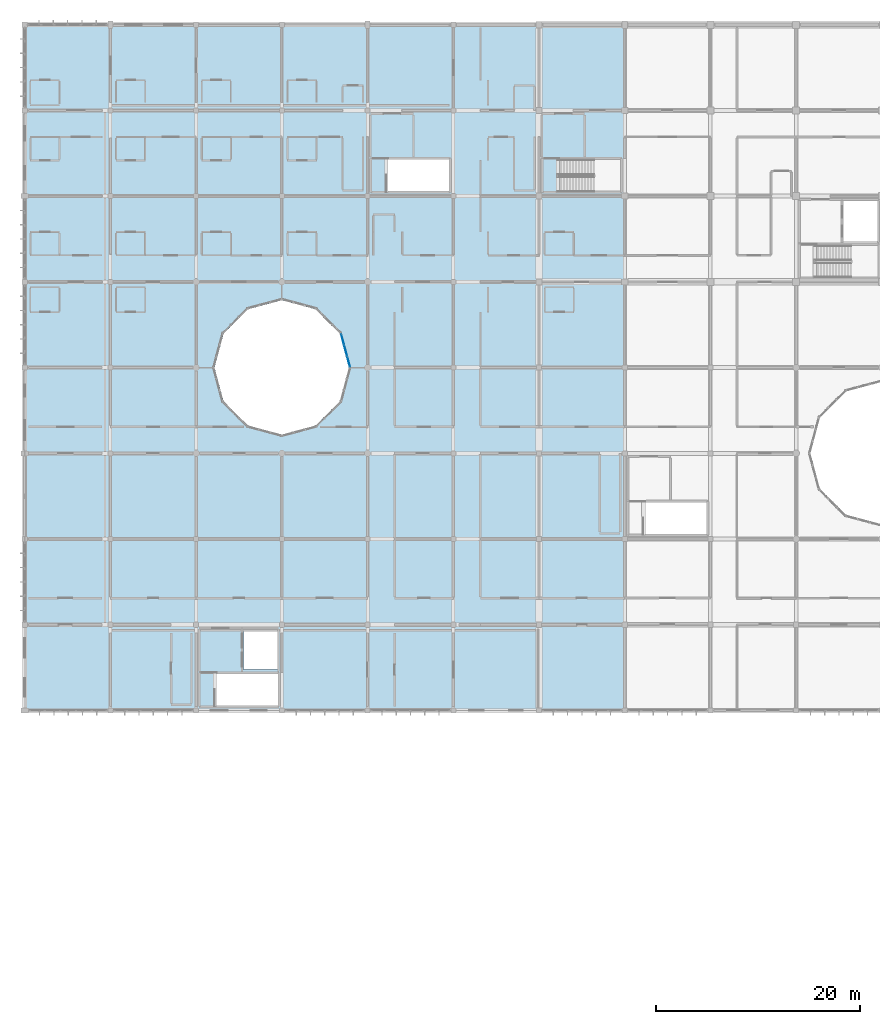
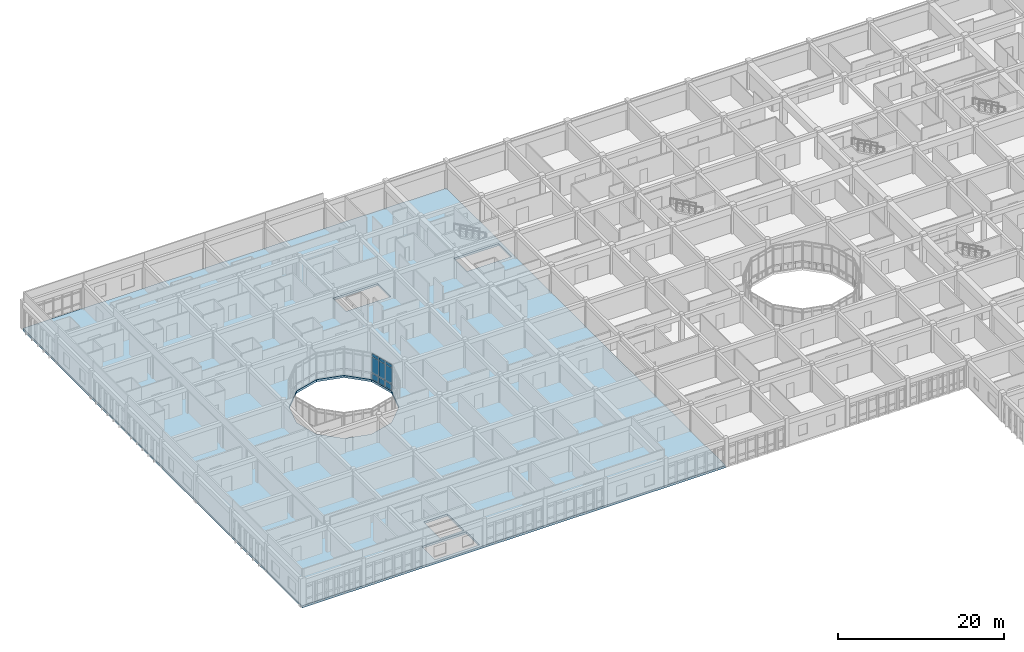
# One storey, part 63 of 119: 9 plates, 1 slab, 1 element without a shape of its own.
"""IFC4 building model written with IfcOpenShell, lengths in metres."""

from ifc_helpers import new_model, si_unit, direction, frame, origin, origin_2d, place, context, subcontext, project, spatial, polyline, rectangle, outline, extrude, material, layer, layer_set, type_object, element, aggregate, save


model = new_model("IFC4")

# Units and contexts
model_context = context("Model", 3, precision=1e-05, world=origin(), true_north=direction((0.0, 1.0)))
body_context = subcontext(model_context, "Body", "Model", "MODEL_VIEW")
ifc_project = project(units=[si_unit("LENGTHUNIT", "METRE"), si_unit("AREAUNIT", "SQUARE_METRE"), si_unit("VOLUMEUNIT", "CUBIC_METRE"), si_unit("PLANEANGLEUNIT", "RADIAN"), si_unit("MASSUNIT", "GRAM", prefix="KILO")], contexts=[model_context])

# Site, building, storey
site_placement = place(None, origin())
site = spatial("IfcSite", under=ifc_project, at=site_placement, CompositionType="ELEMENT")
building_placement = place(site_placement, origin())
building = spatial("IfcBuilding", under=site, at=building_placement, Name="Bramfleet General Hospital", CompositionType="ELEMENT")
storey_placement = place(building_placement, frame((0.0, 0.0, 14.39990234375)))
storey = spatial("IfcBuildingStorey", under=building, at=storey_placement, Name="L03", CompositionType="ELEMENT", Elevation=14.39990234375)

# Curtain wall, plates
ifc_material_1 = material(Name="Anodised aluminium and low-E triple glazing", Category="aluminium")
ifc_layer_1 = layer(ifc_material_1, 0.179931640625, Name="CWT-CW-15")
ifc_layer_set_1 = layer_set([ifc_layer_1], Name="Anodised aluminium and low-E triple glazing")
curtain_wall_type = type_object("IfcCurtainWallType", Name="CWT-CW-15", PredefinedType="USERDEFINED", material=ifc_layer_set_1)
curtain_wall_placement = place(storey_placement, origin())
curtain_wall = element("IfcCurtainWall", 1, at=curtain_wall_placement, inside=storey, type_object=curtain_wall_type, Name="L03 West Clinical Light Court Curtain Wall 7.1", ObjectType="Stick curtain wall", PredefinedType="USERDEFINED")
ifc_material_2 = material(Name="Low-E laminated safety glass", Category="glass")
ifc_layer_2 = layer(ifc_material_2, 0.031982421875, Name="CWP-GLZ-2")
ifc_layer_set_2 = layer_set([ifc_layer_2], Name="Low-E laminated safety glass")
plate_type = type_object("IfcPlateType", Name="CWP-GLZ-2", PredefinedType="CURTAIN_PANEL", material=ifc_layer_set_2)
plate_1_placement = place(storey_placement, frame((31.745849609375, 84.5751953125, 0.06494140625), z_axis=(0.0, 0.0, 1.0), x_axis=(-0.25891863407, 0.965899136003, 0.0)))
plate_1 = element("IfcPlate", 2, at=plate_1_placement, type_object=plate_type, Name="CW-15 panel 1.1", PredefinedType="CURTAIN_PANEL", context=body_context, shape_type="SweptSolid", body=[
    extrude(rectangle(XDim=1.051025390625, YDim=0.031982421875, at=origin_2d()), origin(), (0.0, 0.0, 1.0), 0.802490234375),
])
plate_2_placement = place(storey_placement, frame((31.745849609375, 84.5751953125, 0.9326171875), z_axis=(0.0, 0.0, 1.0), x_axis=(-0.25891863407, 0.965899136003, 0.0)))
plate_2 = element("IfcPlate", 3, at=plate_2_placement, type_object=plate_type, Name="CW-15 panel 1.2", PredefinedType="CURTAIN_PANEL", context=body_context, shape_type="SweptSolid", body=[
    extrude(rectangle(XDim=1.051025390625, YDim=0.031982421875, at=origin_2d()), origin(), (0.0, 0.0, 1.0), 2.375),
])
plate_3_placement = place(storey_placement, frame((31.745849609375, 84.5751953125, 3.37255859375), z_axis=(0.0, 0.0, 1.0), x_axis=(-0.25891863407, 0.965899136003, 0.0)))
plate_3 = element("IfcPlate", 4, at=plate_3_placement, type_object=plate_type, Name="CW-15 panel 1.3", PredefinedType="CURTAIN_PANEL", context=body_context, shape_type="SweptSolid", body=[
    extrude(rectangle(XDim=1.051025390625, YDim=0.031982421875, at=origin_2d()), origin(), (0.0, 0.0, 1.0), 0.452392578125),
])
plate_4_placement = place(storey_placement, frame((31.450927734375, 85.675048828125, 0.06494140625), z_axis=(0.0, 0.0, 1.0), x_axis=(-0.25891863407, 0.965899136003, 0.0)))
plate_4 = element("IfcPlate", 5, at=plate_4_placement, type_object=plate_type, Name="CW-15 panel 2.1", PredefinedType="CURTAIN_PANEL", context=body_context, shape_type="SweptSolid", body=[
    extrude(rectangle(XDim=1.086181640625, YDim=0.031982421875, at=origin_2d()), origin(), (0.0, 0.0, 1.0), 0.802490234375),
])
plate_5_placement = place(storey_placement, frame((31.450927734375, 85.675048828125, 0.9326171875), z_axis=(0.0, 0.0, 1.0), x_axis=(-0.25891863407, 0.965899136003, 0.0)))
plate_5 = element("IfcPlate", 6, at=plate_5_placement, type_object=plate_type, Name="CW-15 panel 2.2", PredefinedType="CURTAIN_PANEL", context=body_context, shape_type="SweptSolid", body=[
    extrude(rectangle(XDim=1.086181640625, YDim=0.031982421875, at=origin_2d()), origin(), (0.0, 0.0, 1.0), 2.375),
])
plate_6_placement = place(storey_placement, frame((31.450927734375, 85.675048828125, 3.37255859375), z_axis=(0.0, 0.0, 1.0), x_axis=(-0.25891863407, 0.965899136003, 0.0)))
plate_6 = element("IfcPlate", 7, at=plate_6_placement, type_object=plate_type, Name="CW-15 panel 2.3", PredefinedType="CURTAIN_PANEL", context=body_context, shape_type="SweptSolid", body=[
    extrude(rectangle(XDim=1.086181640625, YDim=0.031982421875, at=origin_2d()), origin(), (0.0, 0.0, 1.0), 0.452392578125),
])
plate_7_placement = place(storey_placement, frame((31.15625, 86.774658203125, 0.06494140625), z_axis=(0.0, 0.0, 1.0), x_axis=(-0.25891863407, 0.965899136003, 0.0)))
plate_7 = element("IfcPlate", 8, at=plate_7_placement, type_object=plate_type, Name="CW-15 panel 3.1", PredefinedType="CURTAIN_PANEL", context=body_context, shape_type="SweptSolid", body=[
    extrude(rectangle(XDim=1.051025390625, YDim=0.031982421875, at=origin_2d()), origin(), (0.0, 0.0, 1.0), 0.802490234375),
])
plate_8_placement = place(storey_placement, frame((31.15625, 86.774658203125, 0.9326171875), z_axis=(0.0, 0.0, 1.0), x_axis=(-0.25891863407, 0.965899136003, 0.0)))
plate_8 = element("IfcPlate", 9, at=plate_8_placement, type_object=plate_type, Name="CW-15 panel 3.2", PredefinedType="CURTAIN_PANEL", context=body_context, shape_type="SweptSolid", body=[
    extrude(rectangle(XDim=1.051025390625, YDim=0.031982421875, at=origin_2d()), origin(), (0.0, 0.0, 1.0), 2.375),
])
plate_9_placement = place(storey_placement, frame((31.15625, 86.774658203125, 3.37255859375), z_axis=(0.0, 0.0, 1.0), x_axis=(-0.25891863407, 0.965899136003, 0.0)))
plate_9 = element("IfcPlate", 10, at=plate_9_placement, type_object=plate_type, Name="CW-15 panel 3.3", PredefinedType="CURTAIN_PANEL", context=body_context, shape_type="SweptSolid", body=[
    extrude(rectangle(XDim=1.051025390625, YDim=0.031982421875, at=origin_2d()), origin(), (0.0, 0.0, 1.0), 0.452392578125),
])
aggregate(curtain_wall, [plate_1, plate_2, plate_3, plate_4, plate_5, plate_6, plate_7, plate_8, plate_9])

# Slab
ifc_material_3 = material(Name="Concrete C35/45", Category="concrete")
ifc_layer_3 = layer(ifc_material_3, 0.320068359375, Name="SL-FLR-320")
ifc_layer_set_3 = layer_set([ifc_layer_3], Name="Concrete C35/45")
slab_type = type_object("IfcSlabType", Name="SL-FLR-320", PredefinedType="FLOOR", material=ifc_layer_set_3)
slab_placement = place(storey_placement, frame((0.0, 0.0, -0.31982421875)))
element("IfcSlab", 11, at=slab_placement, inside=storey, type_object=slab_type, Name="L03 Structural Floor Slab (WEST)", PredefinedType="FLOOR", context=body_context, shape_type="SweptSolid", body=[
    extrude(outline(polyline([(0.0, 58.800048828125), (0.0, 67.199951171875), (0.0, 75.60009765625), (0.0, 84.0), (0.0, 92.39990234375), (0.0, 100.800048828125), (0.0, 109.199951171875), (0.0, 117.60009765625), (8.39990234375, 117.60009765625), (16.800048828125, 117.60009765625), (25.199951171875, 117.60009765625), (33.60009765625, 117.60009765625), (42.0, 117.60009765625), (50.39990234375, 117.60009765625), (58.800048828125, 117.60009765625), (58.800048828125, 50.39990234375), (50.39990234375, 50.39990234375), (42.0, 50.39990234375), (33.60009765625, 50.39990234375), (25.199951171875, 50.39990234375), (16.800048828125, 50.39990234375), (8.39990234375, 50.39990234375), (0.0, 50.39990234375), (0.0, 58.800048828125)]), holes=[polyline([(19.484130859375, 80.699951171875), (21.89990234375, 78.2841796875), (25.199951171875, 77.39990234375), (28.5, 78.2841796875), (30.915771484375, 80.699951171875), (31.800048828125, 84.0), (30.915771484375, 87.300048828125), (28.5, 89.7158203125), (25.199951171875, 90.60009765625), (21.89990234375, 89.7158203125), (19.484130859375, 87.300048828125), (18.60009765625, 84.0), (19.484130859375, 80.699951171875)]), polyline([(18.639892578125, 50.820068359375), (24.860107421875, 50.820068359375), (24.860107421875, 53.97998046875), (18.639892578125, 53.97998046875), (18.639892578125, 50.820068359375)]), polyline([(21.419921875, 54.39990234375), (24.75, 54.39990234375), (24.75, 58.35009765625), (21.419921875, 58.35009765625), (21.419921875, 54.39990234375)]), polyline([(35.43994140625, 101.219970703125), (41.659912109375, 101.219970703125), (41.659912109375, 104.3798828125), (35.43994140625, 104.3798828125), (35.43994140625, 101.219970703125)]), polyline([(52.239990234375, 101.219970703125), (58.4599609375, 101.219970703125), (58.4599609375, 104.3798828125), (52.239990234375, 104.3798828125), (52.239990234375, 101.219970703125)])]), origin(), (0.0, 0.0, 1.0), 0.31982421875),
])

save(model, "model.ifc")
